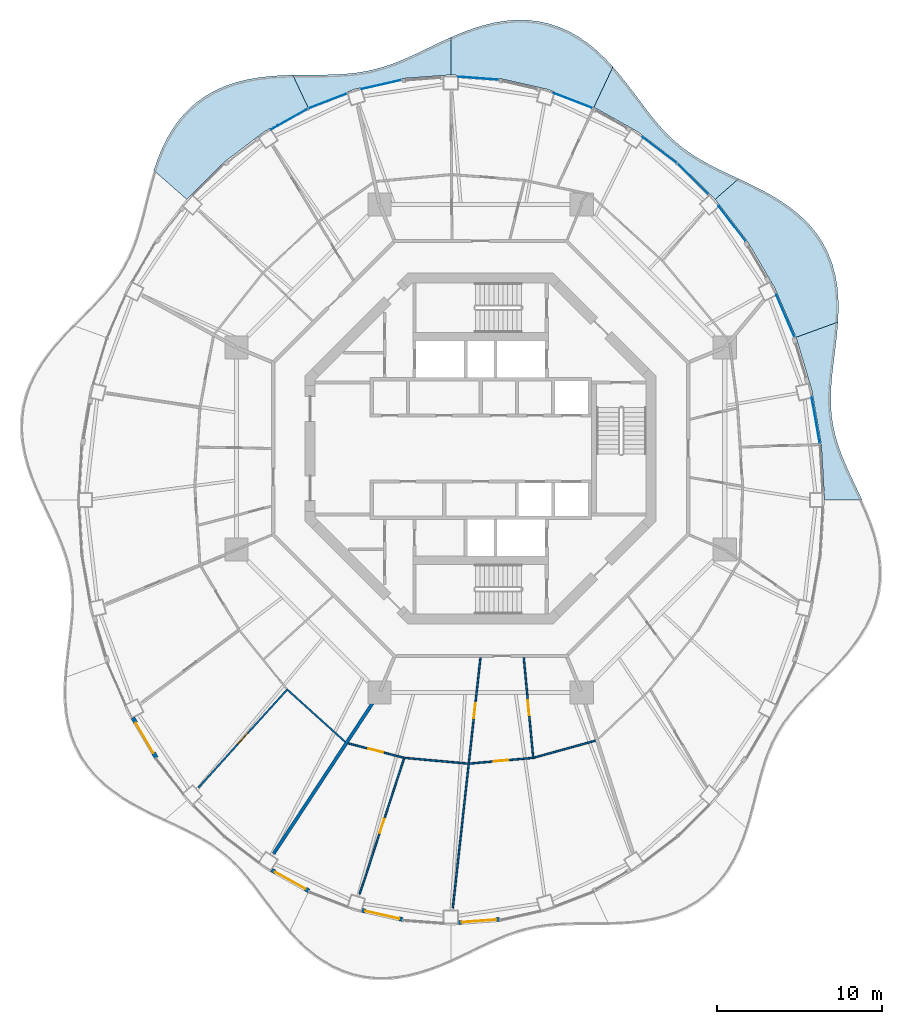
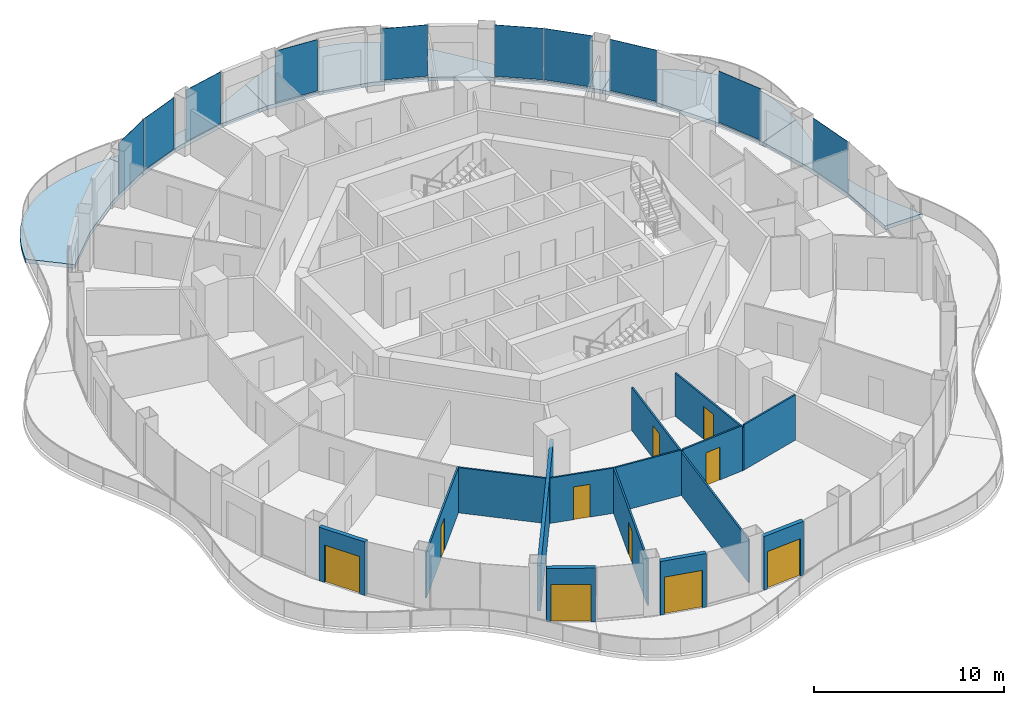
# One storey, part 9 of 17: 14 walls, 10 doors, 10 plates, 6 slabs, 10 openings, 10 elements without a shape of their own.
"""IFC4 building model written with IfcOpenShell, lengths in metres."""

import ifcopenshell
import ifcopenshell.guid

model = None  # the IFC model being written
_history = None  # IfcOwnerHistory: only IFC2X3 demands one
_inside = {}  # id of a spatial element -> (the spatial element, [elements in it])
_under = {}  # id of a project, library or spatial element -> (it, [spatial elements below it])
_declared = {}  # id of a project -> (the project, [libraries it declares])
_typed = {}  # id of a type object -> (the type object, [elements of that type])
_made_of = {}  # id of a material, layer set ... -> (it, [elements and type objects made of it])


def new_model(schema):
    """Start an empty IFC model of exactly this schema.

    Asked for "IFC4X3", IfcOpenShell would pick the latest addendum, in which some entities
    have other attributes; the version numbers below select the first issue.
    IFC2X3 requires an IfcOwnerHistory on every rooted entity: one is made here for all.
    """
    global model, _history
    if schema == "IFC4X3":
        model = ifcopenshell.file(schema_version=(4, 3, 0, 0))
    else:
        model = ifcopenshell.file(schema=schema)
    _inside.clear()
    _under.clear()
    _declared.clear()
    _typed.clear()
    _made_of.clear()
    _history = None
    if model.schema == "IFC2X3":
        org = make("IfcOrganization", Name="unknown")
        user = make(
            "IfcPersonAndOrganization",
            ThePerson=make("IfcPerson", FamilyName="unknown"),
            TheOrganization=org,
        )
        app = make(
            "IfcApplication",
            ApplicationDeveloper=org,
            Version="unknown",
            ApplicationFullName="unknown",
            ApplicationIdentifier="unknown",
        )
        _history = make(
            "IfcOwnerHistory",
            OwningUser=user,
            OwningApplication=app,
            ChangeAction="ADDED",
            CreationDate=0,
        )
    return model


def make(cls, **values):
    """One entity of the class cls with the attributes given. An attribute that is None is left unset."""
    return model.create_entity(
        cls, **{name: value for name, value in values.items() if value is not None}
    )


def rooted(cls, **values):
    """An entity with a GlobalId (a new one), such as an element, a storey or a relation."""
    return make(cls, GlobalId=ifcopenshell.guid.new(), OwnerHistory=_history, **values)


def si_unit(unit_type, name, prefix=None):
    """IfcSIUnit, for example si_unit("LENGTHUNIT", "METRE", prefix="MILLI")."""
    return make("IfcSIUnit", UnitType=unit_type, Prefix=prefix, Name=name)


def assignment(units):
    """IfcUnitAssignment: the units of a project."""
    return None if units is None else make("IfcUnitAssignment", Units=units)


def point(xyz):
    """IfcCartesianPoint."""
    return None if xyz is None else make("IfcCartesianPoint", Coordinates=xyz)


def direction(xyz):
    """IfcDirection."""
    return None if xyz is None else make("IfcDirection", DirectionRatios=xyz)


def frame(location, z_axis=None, x_axis=None):
    """IfcAxis2Placement3D, a coordinate frame: its origin and axes. An axis left out is left unset."""
    return make(
        "IfcAxis2Placement3D",
        Location=point(location),
        Axis=direction(z_axis),
        RefDirection=direction(x_axis),
    )


def frame_2d(location, x_axis=None):
    """IfcAxis2Placement2D, a coordinate frame in the plane: its origin and x axis."""
    return make(
        "IfcAxis2Placement2D", Location=point(location), RefDirection=direction(x_axis)
    )


def origin():
    """The frame at (0, 0, 0) with its axes left unset."""
    return frame((0.0, 0.0, 0.0))


def origin_2d():
    """The frame at (0, 0) in the plane with its x axis left unset."""
    return frame_2d((0.0, 0.0))


def place(relative_to, where):
    """IfcLocalPlacement: puts the frame where relative to a parent placement (None: the world)."""
    return make(
        "IfcLocalPlacement", PlacementRelTo=relative_to, RelativePlacement=where
    )


def context(
    kind, dimensions, precision=None, world=None, true_north=None, identifier=None
):
    """IfcGeometricRepresentationContext, for example the 3D "Model" context."""
    return make(
        "IfcGeometricRepresentationContext",
        ContextIdentifier=identifier,
        ContextType=kind,
        CoordinateSpaceDimension=dimensions,
        Precision=precision,
        WorldCoordinateSystem=world,
        TrueNorth=true_north,
    )


def subcontext(parent, identifier, kind, view, scale=None):
    """IfcGeometricRepresentationSubContext, for example "Body" below "Model"."""
    return make(
        "IfcGeometricRepresentationSubContext",
        ContextIdentifier=identifier,
        ContextType=kind,
        ParentContext=parent,
        TargetScale=scale,
        TargetView=view,
    )


def project(units=None, contexts=None):
    """IfcProject with its units and contexts."""
    return rooted(
        "IfcProject",
        Name="project",
        RepresentationContexts=contexts,
        UnitsInContext=assignment(units),
    )


def spatial(cls, under=None, at=None, **own):
    """A site, building, storey or space (cls), placed at a placement, below another one or the project."""
    s = rooted(cls, ObjectPlacement=at, **own)
    if under is not None:
        _under.setdefault(under.id(), (under, []))[1].append(s)
    return s


def polyline(points):
    """IfcPolyline through the points."""
    return make("IfcPolyline", Points=[point(p) for p in points])


def profile(cls, at=None, kind="AREA", **sizes):
    """A parametric profile (cls). Its sizes go by their IFC names, for example OverallWidth=200.0."""
    return make(cls, ProfileType=kind, Position=at, **sizes)


def rectangle(**sizes):
    """IfcRectangleProfileDef."""
    return profile("IfcRectangleProfileDef", **sizes)


def outline(outer, holes=None, kind="AREA"):
    """IfcArbitraryClosedProfileDef: a profile drawn as a closed curve; with holes, ...WithVoids."""
    if holes is None:
        return make("IfcArbitraryClosedProfileDef", ProfileType=kind, OuterCurve=outer)
    return make(
        "IfcArbitraryProfileDefWithVoids",
        ProfileType=kind,
        OuterCurve=outer,
        InnerCurves=holes,
    )


def extrude(swept, where, along, depth):
    """IfcExtrudedAreaSolid: the profile swept, set in the frame where, extruded along a direction by depth."""
    return make(
        "IfcExtrudedAreaSolid",
        SweptArea=swept,
        Position=where,
        ExtrudedDirection=direction(along),
        Depth=depth,
    )


def shape(context_of_items, identifier, shape_type, items):
    """IfcShapeRepresentation: the items that make up one representation, for example the "Body"."""
    return make(
        "IfcShapeRepresentation",
        ContextOfItems=context_of_items,
        RepresentationIdentifier=identifier,
        RepresentationType=shape_type,
        Items=items,
    )


def material(Name=None, Category=None):
    """IfcMaterial."""
    return make("IfcMaterial", Name=Name, Category=Category)


def layer(
    of_material, thickness, ventilated=None, Name=None, Category=None, Priority=None
):
    """IfcMaterialLayer: one layer of a wall or slab, of a material (None: an air gap)."""
    return make(
        "IfcMaterialLayer",
        Material=of_material,
        LayerThickness=thickness,
        IsVentilated=ventilated,
        Name=Name,
        Category=Category,
        Priority=Priority,
    )


def layer_set(layers, Name=None):
    """IfcMaterialLayerSet."""
    return make("IfcMaterialLayerSet", MaterialLayers=layers, LayerSetName=Name)


def made_of(thing, what):
    """Note that an element or type object is made of a material, layer set ...; save() writes the relation."""
    if what is not None:
        _made_of.setdefault(what.id(), (what, []))[1].append(thing)
    return thing


def type_object(cls, material=None, **own):
    """A type object (cls), such as IfcWallType, which elements share."""
    return made_of(rooted(cls, **own), material)


def element(
    cls,
    number,
    at=None,
    inside=None,
    cuts=None,
    type_object=None,
    material=None,
    context=None,
    identifier="Body",
    shape_type=None,
    held_by="IfcProductDefinitionShape",
    body=None,
    shapes=None,
    **own,
):
    """One element of the class cls, such as IfcWall. Its Tag is "e" and its number.

    at: its placement. inside: the storey or other place that contains it. cuts: it is an
    opening in that element (IfcRelVoidsElement). A single representation is given by context,
    identifier, shape_type and body (its items); several are given by shapes. held_by: the class
    of the entity that holds the representations. save() writes the other relations.
    """
    e = rooted(cls, Tag="e%d" % number, ObjectPlacement=at, **own)
    if body is not None:
        shapes = [shape(context, identifier, shape_type, body)]
    if shapes is not None:
        e.Representation = make(held_by, Representations=shapes)
    if inside is not None:
        _inside.setdefault(inside.id(), (inside, []))[1].append(e)
    if cuts is not None:
        rooted(
            "IfcRelVoidsElement", RelatingBuildingElement=cuts, RelatedOpeningElement=e
        )
    if type_object is not None:
        _typed.setdefault(type_object.id(), (type_object, []))[1].append(e)
    return made_of(e, material)


def fill(opening, filler):
    """IfcRelFillsElement: the door or window that sits in an opening."""
    return rooted(
        "IfcRelFillsElement",
        RelatingOpeningElement=opening,
        RelatedBuildingElement=filler,
    )


def aggregate(whole, parts):
    """IfcRelAggregates: a whole, such as a stair, and the parts it consists of."""
    return rooted("IfcRelAggregates", RelatingObject=whole, RelatedObjects=parts)


def save(model, path):
    """Write the relations noted so far, then the file.

    IfcRelAggregates (storeys below a building ...), IfcRelContainedInSpatialStructure (elements
    in a storey), IfcRelDefinesByType, IfcRelAssociatesMaterial and IfcRelDeclares: one each for
    every whole, place, type object, material and project.
    """
    for whole, parts in _under.values():
        aggregate(whole, parts)
    for where, things in _inside.values():
        rooted(
            "IfcRelContainedInSpatialStructure",
            RelatedElements=things,
            RelatingStructure=where,
        )
    for kind, things in _typed.values():
        rooted("IfcRelDefinesByType", RelatedObjects=things, RelatingType=kind)
    for what, things in _made_of.values():
        rooted("IfcRelAssociatesMaterial", RelatedObjects=things, RelatingMaterial=what)
    for by, libraries in _declared.values():
        rooted("IfcRelDeclares", RelatingContext=by, RelatedDefinitions=libraries)
    model.write(path)


model = new_model("IFC4")

# Units and contexts
model_context = context("Model", 3, precision=1e-05, world=origin(), true_north=direction((0.0, 1.0)))
body_context = subcontext(model_context, "Body", "Model", "MODEL_VIEW")
ifc_project = project(units=[si_unit("LENGTHUNIT", "METRE"), si_unit("AREAUNIT", "SQUARE_METRE"), si_unit("VOLUMEUNIT", "CUBIC_METRE"), si_unit("PLANEANGLEUNIT", "RADIAN"), si_unit("MASSUNIT", "GRAM", prefix="KILO")], contexts=[model_context])

# Site, building, storey
site_placement = place(None, origin())
site = spatial("IfcSite", under=ifc_project, at=site_placement, CompositionType="ELEMENT")
building_placement = place(site_placement, origin())
building = spatial("IfcBuilding", under=site, at=building_placement, Name="Nagisa Residences", CompositionType="ELEMENT")
storey_placement = place(building_placement, frame((0.0, 0.0, 269.60009765625)))
storey = spatial("IfcBuildingStorey", under=building, at=storey_placement, Name="L68", CompositionType="ELEMENT", Elevation=269.60009765625)

# Slabs
ifc_material_1 = material(Name="Concrete C40/50", Category="concrete")
ifc_layer_1 = layer(ifc_material_1, 0.25)
ifc_layer_set_1 = layer_set([ifc_layer_1], Name="BALCONY SLAB 250")
slab_type = type_object("IfcSlabType", Name="BALCONY SLAB 250", PredefinedType="FLOOR", material=ifc_layer_set_1)
slab_1_placement = place(storey_placement, frame((0.0, 0.0, -0.25)))
element("IfcSlab", 1, at=slab_1_placement, inside=storey, type_object=slab_type, Name="slab:L68:bal00", PredefinedType="FLOOR", context=body_context, shape_type="SweptSolid", body=[
    extrude(outline(polyline([(23.091552734375, -3.11767578125), (22.77734375, -2.447509765625), (22.46533203125, -1.7900390625), (22.1689453125, -1.1435546875), (21.899169921875, -0.506103515625), (21.66552734375, 0.12646484375), (21.4755859375, 0.75732421875), (21.33349609375, 1.390869140625), (21.241455078125, 2.031005859375), (21.197998046875, 2.681884765625), (21.198974609375, 3.34619140625), (21.238037109375, 4.026123046875), (21.305908203125, 4.72314453125), (21.3916015625, 5.4365234375), (21.483154296875, 6.1650390625), (21.5673828125, 6.90576171875), (21.631103515625, 7.654541015625), (19.09814453125, 6.732666015625), (20.04931640625, 3.544189453125), (20.62646484375, 0.241943359375), (20.820068359375, -3.11767578125), (23.091552734375, -3.11767578125)])), origin(), (0.0, 0.0, 1.0), 0.25),
])
slab_2_placement = place(storey_placement, frame((0.0, 0.0, -0.25)))
element("IfcSlab", 2, at=slab_2_placement, inside=storey, type_object=slab_type, Name="slab:L68:bal01", PredefinedType="FLOOR", context=body_context, shape_type="SweptSolid", body=[
    extrude(outline(polyline([(21.631103515625, 7.654541015625), (21.6611328125, 8.3828125), (21.649169921875, 9.108154296875), (21.5859375, 9.823974609375), (21.4638671875, 10.5244140625), (21.277099609375, 11.202880859375), (21.02294921875, 11.853515625), (20.70068359375, 12.47119140625), (20.3115234375, 13.051513671875), (19.859619140625, 13.591796875), (19.35107421875, 14.09033203125), (18.79345703125, 14.547607421875), (18.1962890625, 14.96533203125), (17.5693359375, 15.346923828125), (16.92333984375, 15.697509765625), (16.26904296875, 16.023681640625), (15.6162109375, 16.33251953125), (14.19482421875, 15.083251953125), (16.145751953125, 12.5517578125), (17.78955078125, 9.752197265625), (19.09814453125, 6.732666015625), (21.631103515625, 7.654541015625)])), origin(), (0.0, 0.0, 1.0), 0.25),
])
slab_3_placement = place(storey_placement, frame((0.0, 0.0, -0.25)))
element("IfcSlab", 3, at=slab_3_placement, inside=storey, type_object=slab_type, Name="slab:L68:bal02", PredefinedType="FLOOR", context=body_context, shape_type="SweptSolid", body=[
    extrude(outline(polyline([(15.6162109375, 16.33251953125), (15.00390625, 16.618408203125), (14.407958984375, 16.903564453125), (13.833740234375, 17.195556640625), (13.28515625, 17.501220703125), (12.763916015625, 17.826904296875), (12.27099609375, 18.177734375), (11.804443359375, 18.55810546875), (11.361572265625, 18.969970703125), (10.938232421875, 19.4140625), (10.52880859375, 19.889404296875), (10.12744140625, 20.392822265625), (9.727294921875, 20.919677734375), (9.321533203125, 21.462890625), (8.90380859375, 22.014892578125), (8.467529296875, 22.566162109375), (8.00830078125, 23.106689453125), (6.856201171875, 20.6630859375), (9.510009765625, 19.173828125), (11.97021484375, 17.30322265625), (14.19482421875, 15.083251953125), (15.6162109375, 16.33251953125)])), origin(), (0.0, 0.0, 1.0), 0.25),
])
slab_4_placement = place(storey_placement, frame((0.0, 0.0, -0.25)))
element("IfcSlab", 4, at=slab_4_placement, inside=storey, type_object=slab_type, Name="slab:L68:bal03", PredefinedType="FLOOR", context=body_context, shape_type="SweptSolid", body=[
    extrude(outline(polyline([(8.00830078125, 23.106689453125), (7.53955078125, 23.608154296875), (7.042724609375, 24.080322265625), (6.516845703125, 24.51416015625), (5.96142578125, 24.901611328125), (5.378173828125, 25.2353515625), (4.76904296875, 25.509033203125), (4.137451171875, 25.718505859375), (3.4873046875, 25.861083984375), (2.82373046875, 25.93603515625), (2.15185546875, 25.944580078125), (1.476318359375, 25.89013671875), (0.802490234375, 25.777099609375), (0.134521484375, 25.612548828125), (-0.523681640625, 25.404296875), (-1.169189453125, 25.16162109375), (-1.800048828125, 24.893798828125), (-1.800048828125, 22.622314453125), (1.152587890625, 22.402099609375), (4.054443359375, 21.745361328125), (6.856201171875, 20.6630859375), (8.00830078125, 23.106689453125)])), origin(), (0.0, 0.0, 1.0), 0.25),
])
slab_5_placement = place(storey_placement, frame((0.0, 0.0, -0.25)))
element("IfcSlab", 5, at=slab_5_placement, inside=storey, type_object=slab_type, Name="slab:L68:bal04", PredefinedType="FLOOR", context=body_context, shape_type="SweptSolid", body=[
    extrude(outline(polyline([(-1.800048828125, 24.893798828125), (-2.415283203125, 24.611083984375), (-3.015380859375, 24.32373046875), (-3.6015625, 24.040771484375), (-4.176025390625, 23.771240234375), (-4.741943359375, 23.5224609375), (-5.302734375, 23.300537109375), (-5.862548828125, 23.109619140625), (-6.42529296875, 22.952392578125), (-6.995361328125, 22.829345703125), (-7.575927734375, 22.7392578125), (-8.169921875, 22.6787109375), (-8.779296875, 22.643310546875), (-9.4052734375, 22.62646484375), (-10.047607421875, 22.620849609375), (-10.70458984375, 22.618408203125), (-11.3740234375, 22.610107421875), (-10.456298828125, 20.6630859375), (-7.654541015625, 21.745361328125), (-4.75244140625, 22.402099609375), (-1.800048828125, 22.622314453125), (-1.800048828125, 24.893798828125)])), origin(), (0.0, 0.0, 1.0), 0.25),
])
slab_6_placement = place(storey_placement, frame((0.0, 0.0, -0.25)))
element("IfcSlab", 6, at=slab_6_placement, inside=storey, type_object=slab_type, Name="slab:L68:bal05", PredefinedType="FLOOR", context=body_context, shape_type="SweptSolid", body=[
    extrude(outline(polyline([(-11.3740234375, 22.610107421875), (-12.07763671875, 22.586181640625), (-12.785400390625, 22.53662109375), (-13.49072265625, 22.45263671875), (-14.186767578125, 22.32666015625), (-14.866455078125, 22.151611328125), (-15.522705078125, 21.922607421875), (-16.14794921875, 21.63671875), (-16.736572265625, 21.29248046875), (-17.28271484375, 20.890380859375), (-17.78271484375, 20.4326171875), (-18.234130859375, 19.923828125), (-18.635986328125, 19.369140625), (-18.98876953125, 18.775146484375), (-19.295654296875, 18.149658203125), (-19.560791015625, 17.50048828125), (-19.78955078125, 16.83642578125), (-17.794677734375, 15.083251953125), (-15.570068359375, 17.30322265625), (-13.110107421875, 19.173828125), (-10.456298828125, 20.6630859375), (-11.3740234375, 22.610107421875)])), origin(), (0.0, 0.0, 1.0), 0.25),
])

# Curtain wall, plate
ifc_material_2 = material(Name="Concrete-coloured aluminium curtain wall system", Category="concrete")
ifc_layer_2 = layer(ifc_material_2, 0.159912109375)
ifc_layer_set_2 = layer_set([ifc_layer_2], Name="CW1 CURTAIN WALL")
curtain_wall_type = type_object("IfcCurtainWallType", Name="CW1 CURTAIN WALL", PredefinedType="NOTDEFINED", material=ifc_layer_set_2)
curtain_wall_1_placement = place(storey_placement, origin())
curtain_wall_1 = element("IfcCurtainWall", 7, at=curtain_wall_1_placement, inside=storey, type_object=curtain_wall_type, Name="cw:CW1:L68:01", PredefinedType="NOTDEFINED")
ifc_material_3 = material(Name="Clear laminated glass", Category="glass")
ifc_layer_3 = layer(ifc_material_3, 0.028076171875)
ifc_layer_set_3 = layer_set([ifc_layer_3], Name="CW1 GLASS PANEL")
plate_type = type_object("IfcPlateType", Name="CW1 GLASS PANEL", PredefinedType="CURTAIN_PANEL", material=ifc_layer_set_3)
plate_1_placement = place(storey_placement, frame((20.292724609375, 1.687255859375, 0.14990234375), z_axis=(0.0, 0.0, 1.0), x_axis=(-0.172190868898, 0.985063604377, 0.0)))
plate_1 = element("IfcPlate", 8, at=plate_1_placement, type_object=plate_type, Name="CW1 panel", PredefinedType="CURTAIN_PANEL", context=body_context, shape_type="SweptSolid", body=[
    extrude(rectangle(XDim=2.84228515625, YDim=0.028076171875, at=origin_2d()), origin(), (0.0, 0.0, 1.0), 3.2900390625),
])
aggregate(curtain_wall_1, [plate_1])

curtain_wall_2_placement = place(storey_placement, origin())
curtain_wall_2 = element("IfcCurtainWall", 9, at=curtain_wall_2_placement, inside=storey, type_object=curtain_wall_type, Name="cw:CW1:L68:03", PredefinedType="NOTDEFINED")
plate_2_placement = place(storey_placement, frame((18.447998046875, 8.03173828125, 0.14990234375), z_axis=(0.0, 0.0, 1.0), x_axis=(-0.397635934147, 0.917543276295, 0.0)))
plate_2 = element("IfcPlate", 10, at=plate_2_placement, type_object=plate_type, Name="CW1 panel", PredefinedType="CURTAIN_PANEL", context=body_context, shape_type="SweptSolid", body=[
    extrude(rectangle(XDim=2.781005859375, YDim=0.028076171875, at=origin_2d()), origin(), (0.0, 0.0, 1.0), 3.2900390625),
])
aggregate(curtain_wall_2, [plate_2])

curtain_wall_3_placement = place(storey_placement, origin())
curtain_wall_3 = element("IfcCurtainWall", 11, at=curtain_wall_3_placement, inside=storey, type_object=curtain_wall_type, Name="cw:CW1:L68:05", PredefinedType="NOTDEFINED")
plate_3_placement = place(storey_placement, frame((15.225830078125, 13.6142578125, 0.14990234375), z_axis=(0.0, 0.0, 1.0), x_axis=(-0.610429828235, 0.792070340816, 0.0)))
plate_3 = element("IfcPlate", 12, at=plate_3_placement, type_object=plate_type, Name="CW1 panel", PredefinedType="CURTAIN_PANEL", context=body_context, shape_type="SweptSolid", body=[
    extrude(rectangle(XDim=2.68603515625, YDim=0.028076171875, at=origin_2d()), origin(), (0.0, 0.0, 1.0), 3.2900390625),
])
aggregate(curtain_wall_3, [plate_3])

curtain_wall_4_placement = place(storey_placement, origin())
curtain_wall_4 = element("IfcCurtainWall", 13, at=curtain_wall_4_placement, inside=storey, type_object=curtain_wall_type, Name="cw:CW1:L68:06", PredefinedType="NOTDEFINED")
plate_4_placement = place(storey_placement, frame((12.845458984375, 16.316650390625, 0.14990234375), z_axis=(0.0, 0.0, 1.0), x_axis=(-0.707835924016, 0.706376885714, 0.0)))
plate_4 = element("IfcPlate", 14, at=plate_4_placement, type_object=plate_type, Name="CW1 panel", PredefinedType="CURTAIN_PANEL", context=body_context, shape_type="SweptSolid", body=[
    extrude(rectangle(XDim=2.6328125, YDim=0.028076171875, at=origin_2d()), origin(), (0.0, 0.0, 1.0), 3.2900390625),
])
aggregate(curtain_wall_4, [plate_4])

curtain_wall_5_placement = place(storey_placement, origin())
curtain_wall_5 = element("IfcCurtainWall", 15, at=curtain_wall_5_placement, inside=storey, type_object=curtain_wall_type, Name="cw:CW1:L68:07", PredefinedType="NOTDEFINED")
plate_5_placement = place(storey_placement, frame((10.846923828125, 18.056884765625, 0.14990234375), z_axis=(0.0, 0.0, 1.0), x_axis=(-0.79603132756, 0.605255421737, 0.0)))
plate_5 = element("IfcPlate", 16, at=plate_5_placement, type_object=plate_type, Name="CW1 panel", PredefinedType="CURTAIN_PANEL", context=body_context, shape_type="SweptSolid", body=[
    extrude(rectangle(XDim=2.58056640625, YDim=0.028076171875, at=origin_2d()), origin(), (0.0, 0.0, 1.0), 3.2900390625),
])
aggregate(curtain_wall_5, [plate_5])

curtain_wall_6_placement = place(storey_placement, origin())
curtain_wall_6 = element("IfcCurtainWall", 17, at=curtain_wall_6_placement, inside=storey, type_object=curtain_wall_type, Name="cw:CW1:L68:09", PredefinedType="NOTDEFINED")
plate_6_placement = place(storey_placement, frame((5.6083984375, 21.059326171875, 0.14990234375), z_axis=(0.0, 0.0, 1.0), x_axis=(-0.932825759707, 0.360327770268, 0.0)))
plate_6 = element("IfcPlate", 18, at=plate_6_placement, type_object=plate_type, Name="CW1 panel", PredefinedType="CURTAIN_PANEL", context=body_context, shape_type="SweptSolid", body=[
    extrude(rectangle(XDim=2.49365234375, YDim=0.028076171875, at=origin_2d()), origin(), (0.0, 0.0, 1.0), 3.2900390625),
])
aggregate(curtain_wall_6, [plate_6])

curtain_wall_7_placement = place(storey_placement, origin())
curtain_wall_7 = element("IfcCurtainWall", 19, at=curtain_wall_7_placement, inside=storey, type_object=curtain_wall_type, Name="cw:CW1:L68:11", PredefinedType="NOTDEFINED")
plate_7_placement = place(storey_placement, frame((-0.13525390625, 22.41796875, 0.14990234375), z_axis=(0.0, 0.0, 1.0), x_axis=(-0.997230168512, 0.074377355493, 0.0)))
plate_7 = element("IfcPlate", 20, at=plate_7_placement, type_object=plate_type, Name="CW1 panel", PredefinedType="CURTAIN_PANEL", context=body_context, shape_type="SweptSolid", body=[
    extrude(rectangle(XDim=2.45068359375, YDim=0.028076171875, at=origin_2d()), origin(), (0.0, 0.0, 1.0), 3.2900390625),
])
aggregate(curtain_wall_7, [plate_7])

curtain_wall_8_placement = place(storey_placement, origin())
curtain_wall_8 = element("IfcCurtainWall", 21, at=curtain_wall_8_placement, inside=storey, type_object=curtain_wall_type, Name="cw:CW1:L68:13", PredefinedType="NOTDEFINED")
plate_8_placement = place(storey_placement, frame((-5.99560546875, 22.03857421875, 0.14990234375), z_axis=(0.0, 0.0, 1.0), x_axis=(-0.975327274089, -0.2207639201, 0.0)))
plate_8 = element("IfcPlate", 22, at=plate_8_placement, type_object=plate_type, Name="CW1 panel", PredefinedType="CURTAIN_PANEL", context=body_context, shape_type="SweptSolid", body=[
    extrude(rectangle(XDim=2.46533203125, YDim=0.028076171875, at=origin_2d()), origin(), (0.0, 0.0, 1.0), 3.2900390625),
])
aggregate(curtain_wall_8, [plate_8])

curtain_wall_9_placement = place(storey_placement, origin())
curtain_wall_9 = element("IfcCurtainWall", 23, at=curtain_wall_9_placement, inside=storey, type_object=curtain_wall_type, Name="cw:CW1:L68:14", PredefinedType="NOTDEFINED")
plate_9_placement = place(storey_placement, frame((-9.264404296875, 21.03759765625, 0.14990234375), z_axis=(0.0, 0.0, 1.0), x_axis=(-0.932825759707, -0.360327770268, 0.0)))
plate_9 = element("IfcPlate", 24, at=plate_9_placement, type_object=plate_type, Name="CW1 panel", PredefinedType="CURTAIN_PANEL", context=body_context, shape_type="SweptSolid", body=[
    extrude(rectangle(XDim=2.49365234375, YDim=0.028076171875, at=origin_2d()), origin(), (0.0, 0.0, 1.0), 3.2900390625),
])
aggregate(curtain_wall_9, [plate_9])

curtain_wall_10_placement = place(storey_placement, origin())
curtain_wall_10 = element("IfcCurtainWall", 25, at=curtain_wall_10_placement, inside=storey, type_object=curtain_wall_type, Name="cw:CW1:L68:15", PredefinedType="NOTDEFINED")
plate_10_placement = place(storey_placement, frame((-11.573974609375, 19.944091796875, 0.14990234375), z_axis=(0.0, 0.0, 1.0), x_axis=(-0.872072377523, -0.489376918501, 0.0)))
plate_10 = element("IfcPlate", 26, at=plate_10_placement, type_object=plate_type, Name="CW1 panel", PredefinedType="CURTAIN_PANEL", context=body_context, shape_type="SweptSolid", body=[
    extrude(rectangle(XDim=2.532958984375, YDim=0.028076171875, at=origin_2d()), origin(), (0.0, 0.0, 1.0), 3.2900390625),
])
aggregate(curtain_wall_10, [plate_10])

# Wall
ifc_material_4 = material(Name="Gypsum board on steel studs", Category="steel")
ifc_layer_4 = layer(ifc_material_4, 0.199951171875)
ifc_layer_set_4 = layer_set([ifc_layer_4], Name="Apartment compartment wall EI60 200")
wall_type_1 = type_object("IfcWallType", Name="Apartment compartment wall EI60 200", PredefinedType="PARTITIONING", material=ifc_layer_set_4)
wall_1_placement = place(storey_placement, frame((-6.150634765625, -14.82373046875, 0.0), z_axis=(0.0, 0.0, 1.0), x_axis=(-0.549345577828, -0.835595258556, 0.0)))
element("IfcWall", 27, at=wall_1_placement, inside=storey, type_object=wall_type_1, Name="wall:L68:u07", PredefinedType="PARTITIONING", context=body_context, shape_type="SweptSolid", body=[
    extrude(rectangle(XDim=11.619873046875, YDim=0.199951171875, at=frame_2d((5.81005859375, 0.0))), origin(), (0.0, 0.0, 1.0), 2.90478515625),
])

# Wall, opening, door
ifc_material_5 = material(Name="Gypsum board on steel studs", Category="steel")
ifc_layer_5 = layer(ifc_material_5, 0.10009765625)
ifc_layer_set_5 = layer_set([ifc_layer_5], Name="Apartment partition 100")
wall_type_2 = type_object("IfcWallType", Name="Apartment partition 100", PredefinedType="PARTITIONING", material=ifc_layer_set_5)
wall_2_placement = place(storey_placement, frame((-11.67919921875, -14.55712890625, 0.0), z_axis=(0.0, 0.0, 1.0), x_axis=(-0.670800011545, -0.741638284146, 0.0)))
wall_2 = element("IfcWall", 28, at=wall_2_placement, inside=storey, type_object=wall_type_2, Name="wall:L68:u51", PredefinedType="PARTITIONING", context=body_context, shape_type="SweptSolid", body=[
    extrude(rectangle(XDim=8.068115234375, YDim=0.10009765625, at=frame_2d((4.0341796875, 0.0))), origin(), (0.0, 0.0, 1.0), 2.90478515625),
])
opening_1_placement = place(wall_2_placement, frame((3.609130859375, 0.0, 0.0)))
opening_1 = element("IfcOpeningElement", 29, at=opening_1_placement, cuts=wall_2, Name="Opening L68-U22", PredefinedType="OPENING", context=body_context, shape_type="SweptSolid", body=[
    extrude(rectangle(XDim=0.89990234375, YDim=2.10009765625, at=frame_2d((0.449951171875, 1.050048828125))), frame((0.0, 0.06005859375, 0.0), z_axis=(0.0, -1.0, 0.0), x_axis=(1.0, 0.0, 0.0)), (0.0, 0.0, 1.0), 0.1201171875),
])
ifc_material_6 = material(Name="Timber door set", Category="wood")
door_type_1 = type_object("IfcDoorType", Name="Apartment door 900x2100", OperationType="NOTDEFINED", PredefinedType="DOOR", material=ifc_material_6)
door_1_placement = place(opening_1_placement, origin())
door_1 = element("IfcDoor", 30, at=door_1_placement, inside=storey, type_object=door_type_1, Name="Door to master bedroom, Apartment 68C", OperationType="SINGLE_SWING_RIGHT", OverallHeight=2.10009765625, OverallWidth=0.89990234375, PredefinedType="DOOR", context=body_context, shape_type="SweptSolid", body=[
    extrude(rectangle(XDim=0.89990234375, YDim=2.10009765625, at=frame_2d((0.449951171875, 1.050048828125))), frame((0.0, 0.02490234375, 0.0), z_axis=(0.0, -1.0, 0.0), x_axis=(1.0, 0.0, 0.0)), (0.0, 0.0, 1.0), 0.050048828125),
])
fill(opening_1, door_1)

# Wall
wall_3_placement = place(storey_placement, frame((-11.675537109375, -14.627685546875, 0.0), z_axis=(0.0, 0.0, 1.0), x_axis=(0.74245829867, -0.669892285921, 0.0)))
element("IfcWall", 31, at=wall_3_placement, inside=storey, type_object=wall_type_2, Name="wall:L68:u52", PredefinedType="PARTITIONING", context=body_context, shape_type="SweptSolid", body=[
    extrude(rectangle(XDim=4.679931640625, YDim=0.10009765625, at=frame_2d((2.33984375, 0.0))), origin(), (0.0, 0.0, 1.0), 2.90478515625),
])

# Wall, opening, door
wall_4_placement = place(storey_placement, frame((-8.02978515625, -17.8544921875, 0.0), z_axis=(0.0, 0.0, 1.0), x_axis=(0.968441967324, -0.249239154077, 0.0)))
wall_4 = element("IfcWall", 32, at=wall_4_placement, inside=storey, type_object=wall_type_2, Name="wall:L68:u53", PredefinedType="PARTITIONING", context=body_context, shape_type="SweptSolid", body=[
    extrude(rectangle(XDim=3.467529296875, YDim=0.10009765625, at=frame_2d((1.73388671875, 0.0))), origin(), (0.0, 0.0, 1.0), 2.90478515625),
])
opening_2_placement = place(wall_4_placement, frame((1.28369140625, 0.0, 0.0)))
opening_2 = element("IfcOpeningElement", 33, at=opening_2_placement, cuts=wall_4, Name="Opening L68-U28", PredefinedType="OPENING", context=body_context, shape_type="SweptSolid", body=[
    extrude(rectangle(XDim=0.89990234375, YDim=2.10009765625, at=frame_2d((0.449951171875, 1.050048828125))), frame((0.0, 0.06005859375, 0.0), z_axis=(0.0, -1.0, 0.0), x_axis=(1.0, 0.0, 0.0)), (0.0, 0.0, 1.0), 0.1201171875),
])
door_2_placement = place(opening_2_placement, frame((0.89990234375, 0.0, 0.0), x_axis=(-1.0, 0.0, 0.0)))
door_2 = element("IfcDoor", 34, at=door_2_placement, inside=storey, type_object=door_type_1, Name="Door to kitchen, Apartment 68D", OperationType="SINGLE_SWING_LEFT", OverallHeight=2.10009765625, OverallWidth=0.89990234375, PredefinedType="DOOR", context=body_context, shape_type="SweptSolid", body=[
    extrude(rectangle(XDim=0.89990234375, YDim=2.10009765625, at=frame_2d((0.449951171875, 1.050048828125))), frame((0.0, 0.02490234375, 0.0), z_axis=(0.0, -1.0, 0.0), x_axis=(1.0, 0.0, 0.0)), (0.0, 0.0, 1.0), 0.050048828125),
])
fill(opening_2, door_2)

wall_5_placement = place(storey_placement, frame((-4.607666015625, -18.68359375, 0.0), z_axis=(0.0, 0.0, 1.0), x_axis=(-0.311419102378, -0.95027266754, 0.0)))
wall_5 = element("IfcWall", 35, at=wall_5_placement, inside=storey, type_object=wall_type_2, Name="wall:L68:u54", PredefinedType="PARTITIONING", context=body_context, shape_type="SweptSolid", body=[
    extrude(rectangle(XDim=8.73486328125, YDim=0.10009765625, at=frame_2d((4.367431640625, 0.0))), origin(), (0.0, 0.0, 1.0), 2.90478515625),
])
opening_3_placement = place(wall_5_placement, frame((3.9423828125, 0.0, 0.0)))
opening_3 = element("IfcOpeningElement", 36, at=opening_3_placement, cuts=wall_5, Name="Opening L68-U29", PredefinedType="OPENING", context=body_context, shape_type="SweptSolid", body=[
    extrude(rectangle(XDim=0.89990234375, YDim=2.10009765625, at=frame_2d((0.449951171875, 1.050048828125))), frame((0.0, 0.06005859375, 0.0), z_axis=(0.0, -1.0, 0.0), x_axis=(1.0, 0.0, 0.0)), (0.0, 0.0, 1.0), 0.1201171875),
])
door_3_placement = place(opening_3_placement, origin())
door_3 = element("IfcDoor", 37, at=door_3_placement, inside=storey, type_object=door_type_1, Name="Door to master bedroom, Apartment 68D", OperationType="SINGLE_SWING_LEFT", OverallHeight=2.10009765625, OverallWidth=0.89990234375, PredefinedType="DOOR", context=body_context, shape_type="SweptSolid", body=[
    extrude(rectangle(XDim=0.89990234375, YDim=2.10009765625, at=frame_2d((0.449951171875, 1.050048828125))), frame((0.0, 0.02490234375, 0.0), z_axis=(0.0, -1.0, 0.0), x_axis=(1.0, 0.0, 0.0)), (0.0, 0.0, 1.0), 0.050048828125),
])
fill(opening_3, door_3)

# Wall
wall_6_placement = place(storey_placement, frame((-4.5732421875, -18.735595703125, 0.0), z_axis=(0.0, 0.0, 1.0), x_axis=(0.995986472869, -0.089503887414, 0.0)))
element("IfcWall", 38, at=wall_6_placement, inside=storey, type_object=wall_type_2, Name="wall:L68:u55", PredefinedType="PARTITIONING", context=body_context, shape_type="SweptSolid", body=[
    extrude(rectangle(XDim=3.81884765625, YDim=0.10009765625, at=frame_2d((1.909423828125, 0.0))), origin(), (0.0, 0.0, 1.0), 2.90478515625),
])

# Wall, opening, door
wall_7_placement = place(storey_placement, frame((-0.010986328125, -12.6640625, 0.0), z_axis=(0.0, 0.0, 1.0), x_axis=(-0.109805889692, -0.993953050495, 0.0)))
wall_7 = element("IfcWall", 39, at=wall_7_placement, inside=storey, type_object=wall_type_2, Name="wall:L68:u56", PredefinedType="PARTITIONING", context=body_context, shape_type="SweptSolid", body=[
    extrude(rectangle(XDim=15.248046875, YDim=0.10009765625, at=frame_2d((7.6240234375, 0.0))), origin(), (0.0, 0.0, 1.0), 2.761962890625),
])
opening_4_placement = place(wall_7_placement, frame((2.7783203125, 0.0, 0.0)))
opening_4 = element("IfcOpeningElement", 40, at=opening_4_placement, cuts=wall_7, Name="Opening L68-U26", PredefinedType="OPENING", context=body_context, shape_type="SweptSolid", body=[
    extrude(rectangle(XDim=0.89990234375, YDim=2.10009765625, at=frame_2d((0.449951171875, 1.050048828125))), frame((0.0, 0.06005859375, 0.0), z_axis=(0.0, -1.0, 0.0), x_axis=(1.0, 0.0, 0.0)), (0.0, 0.0, 1.0), 0.1201171875),
])
door_4_placement = place(opening_4_placement, frame((0.89990234375, 0.0, 0.0), x_axis=(-1.0, 0.0, 0.0)))
door_4 = element("IfcDoor", 41, at=door_4_placement, inside=storey, type_object=door_type_1, Name="Door to store, Apartment 68D", OperationType="SINGLE_SWING_LEFT", OverallHeight=2.10009765625, OverallWidth=0.89990234375, PredefinedType="DOOR", context=body_context, shape_type="SweptSolid", body=[
    extrude(rectangle(XDim=0.89990234375, YDim=2.10009765625, at=frame_2d((0.449951171875, 1.050048828125))), frame((0.0, 0.02490234375, 0.0), z_axis=(0.0, -1.0, 0.0), x_axis=(1.0, 0.0, 0.0)), (0.0, 0.0, 1.0), 0.050048828125),
])
fill(opening_4, door_4)

wall_8_placement = place(storey_placement, frame((-0.670166015625, -19.077392578125, 0.0), z_axis=(0.0, 0.0, 1.0), x_axis=(0.995986472869, 0.089503887414, 0.0)))
wall_8 = element("IfcWall", 42, at=wall_8_placement, inside=storey, type_object=wall_type_2, Name="wall:L68:u57", PredefinedType="PARTITIONING", context=body_context, shape_type="SweptSolid", body=[
    extrude(rectangle(XDim=3.81884765625, YDim=0.10009765625, at=frame_2d((1.909423828125, 0.0))), origin(), (0.0, 0.0, 1.0), 2.90478515625),
])
opening_5_placement = place(wall_8_placement, frame((1.45947265625, 0.0, 0.0)))
opening_5 = element("IfcOpeningElement", 43, at=opening_5_placement, cuts=wall_8, Name="Opening L68-U30", PredefinedType="OPENING", context=body_context, shape_type="SweptSolid", body=[
    extrude(rectangle(XDim=0.89990234375, YDim=2.10009765625, at=frame_2d((0.449951171875, 1.050048828125))), frame((0.0, 0.06005859375, 0.0), z_axis=(0.0, -1.0, 0.0), x_axis=(1.0, 0.0, 0.0)), (0.0, 0.0, 1.0), 0.1201171875),
])
door_5_placement = place(opening_5_placement, frame((0.89990234375, 0.0, 0.0), x_axis=(-1.0, 0.0, 0.0)))
door_5 = element("IfcDoor", 44, at=door_5_placement, inside=storey, type_object=door_type_1, Name="Door to living room, Apartment 68D", OperationType="SINGLE_SWING_LEFT", OverallHeight=2.10009765625, OverallWidth=0.89990234375, PredefinedType="DOOR", context=body_context, shape_type="SweptSolid", body=[
    extrude(rectangle(XDim=0.89990234375, YDim=2.10009765625, at=frame_2d((0.449951171875, 1.050048828125))), frame((0.0, 0.02490234375, 0.0), z_axis=(0.0, -1.0, 0.0), x_axis=(1.0, 0.0, 0.0)), (0.0, 0.0, 1.0), 0.050048828125),
])
fill(opening_5, door_5)

wall_9_placement = place(storey_placement, frame((2.611572265625, -12.664306640625, 0.0), z_axis=(0.0, 0.0, 1.0), x_axis=(0.093781393779, -0.995592813444, 0.0)))
wall_9 = element("IfcWall", 45, at=wall_9_placement, inside=storey, type_object=wall_type_2, Name="wall:L68:u58", PredefinedType="PARTITIONING", context=body_context, shape_type="SweptSolid", body=[
    extrude(rectangle(XDim=6.143798828125, YDim=0.10009765625, at=frame_2d((3.07177734375, 0.0))), origin(), (0.0, 0.0, 1.0), 2.761962890625),
])
opening_6_placement = place(wall_9_placement, frame((2.5966796875, 0.0, 0.0)))
opening_6 = element("IfcOpeningElement", 46, at=opening_6_placement, cuts=wall_9, Name="Opening L68-U27", PredefinedType="OPENING", context=body_context, shape_type="SweptSolid", body=[
    extrude(rectangle(XDim=0.89990234375, YDim=2.10009765625, at=frame_2d((0.449951171875, 1.050048828125))), frame((0.0, 0.06005859375, 0.0), z_axis=(0.0, -1.0, 0.0), x_axis=(1.0, 0.0, 0.0)), (0.0, 0.0, 1.0), 0.1201171875),
])
door_6_placement = place(opening_6_placement, origin())
door_6 = element("IfcDoor", 47, at=door_6_placement, inside=storey, type_object=door_type_1, Name="Door to family bathroom, Apartment 68D", OperationType="SINGLE_SWING_LEFT", OverallHeight=2.10009765625, OverallWidth=0.89990234375, PredefinedType="DOOR", context=body_context, shape_type="SweptSolid", body=[
    extrude(rectangle(XDim=0.89990234375, YDim=2.10009765625, at=frame_2d((0.449951171875, 1.050048828125))), frame((0.0, 0.02490234375, 0.0), z_axis=(0.0, -1.0, 0.0), x_axis=(1.0, 0.0, 0.0)), (0.0, 0.0, 1.0), 0.050048828125),
])
fill(opening_6, door_6)

# Wall
wall_10_placement = place(storey_placement, frame((3.231201171875, -18.7177734375, 0.0), z_axis=(0.0, 0.0, 1.0), x_axis=(0.963606817151, 0.267323590318, 0.0)))
element("IfcWall", 48, at=wall_10_placement, inside=storey, type_object=wall_type_2, Name="wall:L68:u59", PredefinedType="PARTITIONING", context=body_context, shape_type="SweptSolid", body=[
    extrude(rectangle(XDim=3.85302734375, YDim=0.10009765625, at=frame_2d((1.926513671875, 0.0))), origin(), (0.0, 0.0, 1.0), 2.90478515625),
])

# Wall, opening, door
ifc_material_7 = material(Name="Precast concrete C40/50", Category="concrete")
ifc_layer_6 = layer(ifc_material_7, 0.25)
ifc_layer_set_6 = layer_set([ifc_layer_6], Name="BALCONY DOOR WALL 250")
wall_type_3 = type_object("IfcWallType", Name="BALCONY DOOR WALL 250", PredefinedType="SOLIDWALL", material=ifc_layer_set_6)
wall_11_placement = place(storey_placement, frame((-19.637939453125, -18.723876953125, 0.0), z_axis=(0.0, 0.0, 1.0), x_axis=(-0.506371364425, 0.862315511452, 0.0)))
wall_11 = element("IfcWall", 49, at=wall_11_placement, inside=storey, type_object=wall_type_3, Name="wall:L68:bay28", PredefinedType="SOLIDWALL", context=body_context, shape_type="SweptSolid", body=[
    extrude(rectangle(XDim=2.79638671875, YDim=0.25, at=frame_2d((1.398193359375, 0.0))), origin(), (0.0, 0.0, 1.0), 3.43994140625),
])
opening_7_placement = place(wall_11_placement, frame((0.34814453125, 0.0, 0.0)))
opening_7 = element("IfcOpeningElement", 50, at=opening_7_placement, cuts=wall_11, Name="Opening BD-L68-10", PredefinedType="OPENING", context=body_context, shape_type="SweptSolid", body=[
    extrude(rectangle(XDim=2.10009765625, YDim=2.39990234375, at=frame_2d((1.050048828125, 1.199951171875))), frame((0.0, 0.135009765625, 0.0), z_axis=(0.0, -1.0, 0.0), x_axis=(1.0, 0.0, 0.0)), (0.0, 0.0, 1.0), 0.27001953125),
])
ifc_material_8 = material(Name="Aluminium and clear glass", Category="aluminium")
door_type_2 = type_object("IfcDoorType", Name="BALCONY SLIDING DOOR 2100x2400", OperationType="SLIDING_TO_LEFT", PredefinedType="DOOR", material=ifc_material_8)
door_7_placement = place(opening_7_placement, origin())
door_7 = element("IfcDoor", 51, at=door_7_placement, inside=storey, type_object=door_type_2, Name="door:L68:bay28", OperationType="SLIDING_TO_LEFT", OverallHeight=2.39990234375, OverallWidth=2.10009765625, PredefinedType="DOOR", context=body_context, shape_type="SweptSolid", body=[
    extrude(rectangle(XDim=2.10009765625, YDim=2.39990234375, at=frame_2d((1.050048828125, 1.199951171875))), frame((0.0, 0.02490234375, 0.0), z_axis=(0.0, -1.0, 0.0), x_axis=(1.0, 0.0, 0.0)), (0.0, 0.0, 1.0), 0.050048828125),
])
fill(opening_7, door_7)

wall_12_placement = place(storey_placement, frame((-10.39501953125, -26.789306640625, 0.0), z_axis=(0.0, 0.0, 1.0), x_axis=(-0.872115604046, 0.489299880625, 0.0)))
wall_12 = element("IfcWall", 52, at=wall_12_placement, inside=storey, type_object=wall_type_3, Name="wall:L68:bay32", PredefinedType="SOLIDWALL", context=body_context, shape_type="SweptSolid", body=[
    extrude(rectangle(XDim=2.593017578125, YDim=0.25, at=frame_2d((1.29638671875, 0.0))), origin(), (0.0, 0.0, 1.0), 3.43994140625),
])
opening_8_placement = place(wall_12_placement, frame((0.24658203125, 0.0, 0.0)))
opening_8 = element("IfcOpeningElement", 53, at=opening_8_placement, cuts=wall_12, Name="Opening BD-L68-11", PredefinedType="OPENING", context=body_context, shape_type="SweptSolid", body=[
    extrude(rectangle(XDim=2.10009765625, YDim=2.39990234375, at=frame_2d((1.050048828125, 1.199951171875))), frame((0.0, 0.135009765625, 0.0), z_axis=(0.0, -1.0, 0.0), x_axis=(1.0, 0.0, 0.0)), (0.0, 0.0, 1.0), 0.27001953125),
])
door_8_placement = place(opening_8_placement, origin())
door_8 = element("IfcDoor", 54, at=door_8_placement, inside=storey, type_object=door_type_2, Name="door:L68:bay32", OperationType="SLIDING_TO_LEFT", OverallHeight=2.39990234375, OverallWidth=2.10009765625, PredefinedType="DOOR", context=body_context, shape_type="SweptSolid", body=[
    extrude(rectangle(XDim=2.10009765625, YDim=2.39990234375, at=frame_2d((1.050048828125, 1.199951171875))), frame((0.0, 0.02490234375, 0.0), z_axis=(0.0, -1.0, 0.0), x_axis=(1.0, 0.0, 0.0)), (0.0, 0.0, 1.0), 0.050048828125),
])
fill(opening_8, door_8)

wall_13_placement = place(storey_placement, frame((-4.724853515625, -28.515625, 0.0), z_axis=(0.0, 0.0, 1.0), x_axis=(-0.975319584032, 0.220797891756, 0.0)))
wall_13 = element("IfcWall", 55, at=wall_13_placement, inside=storey, type_object=wall_type_3, Name="wall:L68:bay34", PredefinedType="SOLIDWALL", context=body_context, shape_type="SweptSolid", body=[
    extrude(rectangle(XDim=2.525390625, YDim=0.25, at=frame_2d((1.2626953125, 0.0))), origin(), (0.0, 0.0, 1.0), 3.43994140625),
])
opening_9_placement = place(wall_13_placement, frame((0.212646484375, 0.0, 0.0)))
opening_9 = element("IfcOpeningElement", 56, at=opening_9_placement, cuts=wall_13, Name="Opening BD-L68-12", PredefinedType="OPENING", context=body_context, shape_type="SweptSolid", body=[
    extrude(rectangle(XDim=2.10009765625, YDim=2.39990234375, at=frame_2d((1.050048828125, 1.199951171875))), frame((0.0, 0.135009765625, 0.0), z_axis=(0.0, -1.0, 0.0), x_axis=(1.0, 0.0, 0.0)), (0.0, 0.0, 1.0), 0.27001953125),
])
door_9_placement = place(opening_9_placement, origin())
door_9 = element("IfcDoor", 57, at=door_9_placement, inside=storey, type_object=door_type_2, Name="door:L68:bay34", OperationType="SLIDING_TO_LEFT", OverallHeight=2.39990234375, OverallWidth=2.10009765625, PredefinedType="DOOR", context=body_context, shape_type="SweptSolid", body=[
    extrude(rectangle(XDim=2.10009765625, YDim=2.39990234375, at=frame_2d((1.050048828125, 1.199951171875))), frame((0.0, 0.02490234375, 0.0), z_axis=(0.0, -1.0, 0.0), x_axis=(1.0, 0.0, 0.0)), (0.0, 0.0, 1.0), 0.050048828125),
])
fill(opening_9, door_9)

wall_14_placement = place(storey_placement, frame((1.143310546875, -28.512939453125, 0.0), z_axis=(0.0, 0.0, 1.0), x_axis=(-0.997236892469, -0.074287147606, 0.0)))
wall_14 = element("IfcWall", 58, at=wall_14_placement, inside=storey, type_object=wall_type_3, Name="wall:L68:bay36", PredefinedType="SOLIDWALL", context=body_context, shape_type="SweptSolid", body=[
    extrude(rectangle(XDim=2.5107421875, YDim=0.25, at=frame_2d((1.25537109375, 0.0))), origin(), (0.0, 0.0, 1.0), 3.43994140625),
])
opening_10_placement = place(wall_14_placement, frame((0.205322265625, 0.0, 0.0)))
opening_10 = element("IfcOpeningElement", 59, at=opening_10_placement, cuts=wall_14, Name="Opening BD-L68-13", PredefinedType="OPENING", context=body_context, shape_type="SweptSolid", body=[
    extrude(rectangle(XDim=2.10009765625, YDim=2.39990234375, at=frame_2d((1.050048828125, 1.199951171875))), frame((0.0, 0.135009765625, 0.0), z_axis=(0.0, -1.0, 0.0), x_axis=(1.0, 0.0, 0.0)), (0.0, 0.0, 1.0), 0.27001953125),
])
door_10_placement = place(opening_10_placement, origin())
door_10 = element("IfcDoor", 60, at=door_10_placement, inside=storey, type_object=door_type_2, Name="door:L68:bay36", OperationType="SLIDING_TO_LEFT", OverallHeight=2.39990234375, OverallWidth=2.10009765625, PredefinedType="DOOR", context=body_context, shape_type="SweptSolid", body=[
    extrude(rectangle(XDim=2.10009765625, YDim=2.39990234375, at=frame_2d((1.050048828125, 1.199951171875))), frame((0.0, 0.02490234375, 0.0), z_axis=(0.0, -1.0, 0.0), x_axis=(1.0, 0.0, 0.0)), (0.0, 0.0, 1.0), 0.050048828125),
])
fill(opening_10, door_10)

save(model, "model.ifc")
